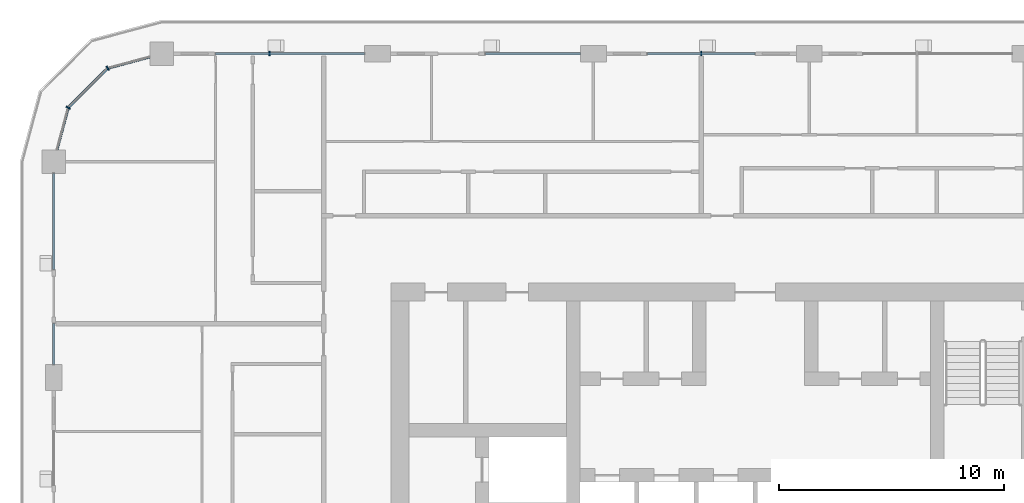
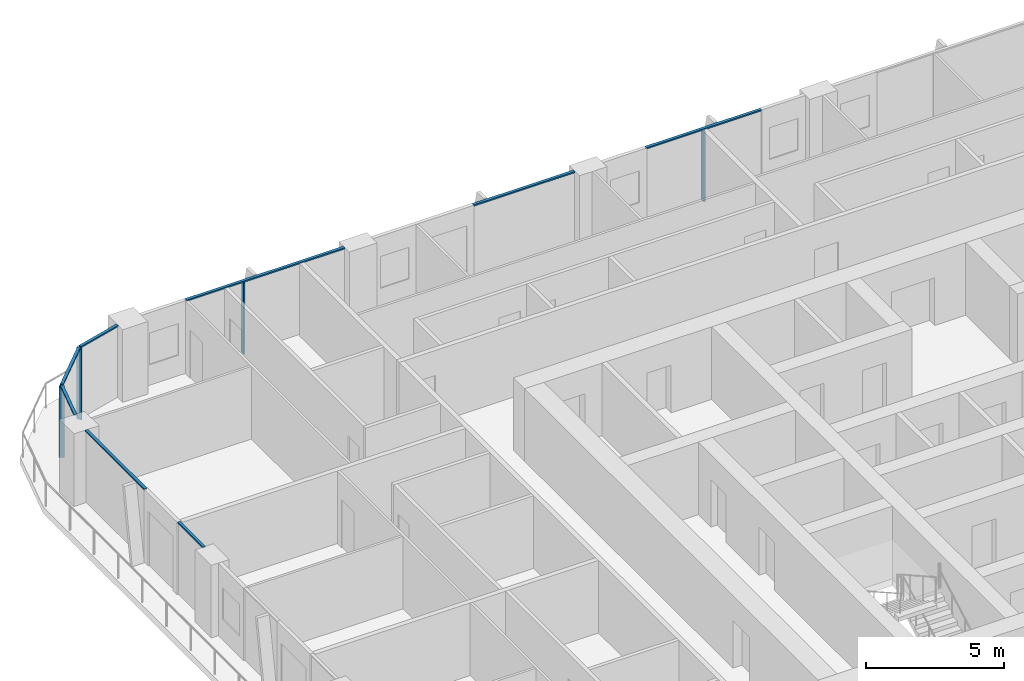
# One storey, part 5 of 22: 12 members, 5 elements without a shape of their own.
"""IFC4 building model written with IfcOpenShell, lengths in metres."""

from ifc_helpers import new_model, si_unit, direction, frame, origin, origin_2d, place, context, subcontext, project, spatial, rectangle, extrude, material, layer, layer_set, material_profile, profile_set, type_object, element, aggregate, save


model = new_model("IFC4")

# Units and contexts
model_context = context("Model", 3, precision=1e-05, world=origin(), true_north=direction((0.0, 1.0)))
body_context = subcontext(model_context, "Body", "Model", "MODEL_VIEW")
ifc_project = project(units=[si_unit("LENGTHUNIT", "METRE"), si_unit("AREAUNIT", "SQUARE_METRE"), si_unit("VOLUMEUNIT", "CUBIC_METRE"), si_unit("PLANEANGLEUNIT", "RADIAN"), si_unit("MASSUNIT", "GRAM", prefix="KILO")], contexts=[model_context])

# Site, building, storey
site_placement = place(None, origin())
site = spatial("IfcSite", under=ifc_project, at=site_placement, CompositionType="ELEMENT")
building_placement = place(site_placement, origin())
building = spatial("IfcBuilding", under=site, at=building_placement, Name="Madar Terraces", CompositionType="ELEMENT")
storey_placement = place(building_placement, frame((0.0, 0.0, 159.5)))
storey = spatial("IfcBuildingStorey", under=building, at=storey_placement, Name="L41", CompositionType="ELEMENT", Elevation=159.5)

# Curtain wall, member
ifc_material_1 = material(Name="Glass, ceramic frit dark grey, with black aluminium frame", Category="aluminium")
ifc_layer = layer(ifc_material_1, 0.199951171875)
ifc_layer_set = layer_set([ifc_layer], Name="Facade curtain wall, fritted glass")
curtain_wall_type = type_object("IfcCurtainWallType", Name="Facade curtain wall, fritted glass", PredefinedType="NOTDEFINED", material=ifc_layer_set)
curtain_wall_1_placement = place(storey_placement, origin())
curtain_wall_1 = element("IfcCurtainWall", 1, at=curtain_wall_1_placement, inside=storey, type_object=curtain_wall_type, Name="Outer skin curtain wall north bay 3", PredefinedType="NOTDEFINED")
ifc_material_2 = material(Name="Aluminium, black anodised", Category="aluminium")
ifc_material_profile_1 = material_profile(ifc_material_2, rectangle(XDim=0.199951171875, YDim=0.06005859375, at=origin_2d()), Name="Facade mullion 60x200")
ifc_profile_set_1 = profile_set([ifc_material_profile_1], Name="Aluminium, black anodised")
member_type_1 = type_object("IfcMemberType", Name="Facade mullion 60x200", PredefinedType="MULLION", material=ifc_profile_set_1)
member_1_placement = place(storey_placement, frame((28.800048828125, 48.0, 0.0), z_axis=(0.0, 0.0, 1.0), x_axis=(0.0, -1.0, 0.0)))
member_1 = element("IfcMember", 2, at=member_1_placement, type_object=member_type_1, Name="Mullion 1", PredefinedType="MULLION", context=body_context, shape_type="SweptSolid", body=[
    extrude(rectangle(XDim=0.199951171875, YDim=0.06005859375, at=origin_2d()), origin(), (0.0, 0.0, 1.0), 3.139892578125),
])

curtain_wall_2_placement = place(storey_placement, origin())
curtain_wall_2 = element("IfcCurtainWall", 3, at=curtain_wall_2_placement, inside=storey, type_object=curtain_wall_type, Name="Outer skin curtain wall north bay 5", PredefinedType="NOTDEFINED")
member_2_placement = place(storey_placement, frame((9.60009765625, 48.0, 0.0), z_axis=(0.0, 0.0, 1.0), x_axis=(0.0, -1.0, 0.0)))
member_2 = element("IfcMember", 4, at=member_2_placement, type_object=member_type_1, Name="Mullion 1", PredefinedType="MULLION", context=body_context, shape_type="SweptSolid", body=[
    extrude(rectangle(XDim=0.199951171875, YDim=0.06005859375, at=origin_2d()), origin(), (0.0, 0.0, 1.0), 3.139892578125),
])

# Curtain wall, members
curtain_wall_3_placement = place(storey_placement, origin())
curtain_wall_3 = element("IfcCurtainWall", 5, at=curtain_wall_3_placement, inside=storey, type_object=curtain_wall_type, Name="Outer skin curtain wall north-west corner", PredefinedType="NOTDEFINED")
member_3_placement = place(storey_placement, frame((2.39990234375, 47.35693359375, 0.0), z_axis=(0.0, 0.0, 1.0), x_axis=(0.499999989586, -0.866025409797, 0.0)))
member_3 = element("IfcMember", 6, at=member_3_placement, type_object=member_type_1, Name="Mullion 1", PredefinedType="MULLION", context=body_context, shape_type="SweptSolid", body=[
    extrude(rectangle(XDim=0.199951171875, YDim=0.06005859375, at=origin_2d()), origin(), (0.0, 0.0, 1.0), 3.139892578125),
])
member_4_placement = place(storey_placement, frame((0.64306640625, 45.60009765625, 0.0), z_axis=(0.0, 0.0, 1.0), x_axis=(0.866025409797, -0.499999989586, 0.0)))
member_4 = element("IfcMember", 7, at=member_4_placement, type_object=member_type_1, Name="Mullion 2", PredefinedType="MULLION", context=body_context, shape_type="SweptSolid", body=[
    extrude(rectangle(XDim=0.199951171875, YDim=0.06005859375, at=origin_2d()), origin(), (0.0, 0.0, 1.0), 3.139892578125),
])

# Member
ifc_material_3 = material(Name="Aluminium, black anodised", Category="aluminium")
ifc_material_profile_2 = material_profile(ifc_material_3, rectangle(XDim=0.1201171875, YDim=0.06005859375, at=origin_2d()), Name="Facade transom 60x120")
ifc_profile_set_2 = profile_set([ifc_material_profile_2], Name="Aluminium, black anodised")
member_type_2 = type_object("IfcMemberType", Name="Facade transom 60x120", PredefinedType="USERDEFINED", material=ifc_profile_set_2)
member_5_placement = place(storey_placement, frame((31.199951171875, 48.0, 3.169921875), z_axis=(-1.0, 0.0, 0.0), x_axis=(0.0, -1.0, 0.0)))
member_5 = element("IfcMember", 8, at=member_5_placement, type_object=member_type_2, Name="Transom 1", ObjectType="TRANSOM", PredefinedType="USERDEFINED", context=body_context, shape_type="SweptSolid", body=[
    extrude(rectangle(XDim=0.1201171875, YDim=0.06005859375, at=origin_2d()), origin(), (0.0, 0.0, 1.0), 4.800048828125),
])

aggregate(curtain_wall_1, [member_1, member_5])

# Curtain wall, member
curtain_wall_4_placement = place(storey_placement, origin())
curtain_wall_4 = element("IfcCurtainWall", 9, at=curtain_wall_4_placement, inside=storey, type_object=curtain_wall_type, Name="Outer skin curtain wall north bay 4", PredefinedType="NOTDEFINED")
member_6_placement = place(storey_placement, frame((23.425048828125, 48.0, 3.169921875), z_axis=(-1.0, 0.0, 0.0), x_axis=(0.0, -1.0, 0.0)))
member_6 = element("IfcMember", 10, at=member_6_placement, type_object=member_type_2, Name="Transom 1", ObjectType="TRANSOM", PredefinedType="USERDEFINED", context=body_context, shape_type="SweptSolid", body=[
    extrude(rectangle(XDim=0.1201171875, YDim=0.06005859375, at=origin_2d()), origin(), (0.0, 0.0, 1.0), 4.22509765625),
])
aggregate(curtain_wall_4, [member_6])

# Member
member_7_placement = place(storey_placement, frame((13.824951171875, 48.0, 3.169921875), z_axis=(-1.0, 0.0, 0.0), x_axis=(0.0, -1.0, 0.0)))
member_7 = element("IfcMember", 11, at=member_7_placement, type_object=member_type_2, Name="Transom 1", ObjectType="TRANSOM", PredefinedType="USERDEFINED", context=body_context, shape_type="SweptSolid", body=[
    extrude(rectangle(XDim=0.1201171875, YDim=0.06005859375, at=origin_2d()), origin(), (0.0, 0.0, 1.0), 6.625),
])

aggregate(curtain_wall_2, [member_2, member_7])

# Curtain wall, members
curtain_wall_5_placement = place(storey_placement, origin())
curtain_wall_5 = element("IfcCurtainWall", 12, at=curtain_wall_5_placement, inside=storey, type_object=curtain_wall_type, Name="Outer skin curtain wall west bay 1", PredefinedType="NOTDEFINED")
member_8_placement = place(storey_placement, frame((0.0, 42.675048828125, 3.169921875), z_axis=(0.0, -1.0, 0.0), x_axis=(1.0, 0.0, 0.0)))
member_8 = element("IfcMember", 13, at=member_8_placement, type_object=member_type_2, Name="Transom 1", ObjectType="TRANSOM", PredefinedType="USERDEFINED", context=body_context, shape_type="SweptSolid", body=[
    extrude(rectangle(XDim=0.1201171875, YDim=0.06005859375, at=origin_2d()), origin(), (0.0, 0.0, 1.0), 4.275146484375),
])
member_9_placement = place(storey_placement, frame((0.0, 36.0, 3.169921875), z_axis=(0.0, -1.0, 0.0), x_axis=(1.0, 0.0, 0.0)))
member_9 = element("IfcMember", 14, at=member_9_placement, type_object=member_type_2, Name="Transom 2", ObjectType="TRANSOM", PredefinedType="USERDEFINED", context=body_context, shape_type="SweptSolid", body=[
    extrude(rectangle(XDim=0.1201171875, YDim=0.06005859375, at=origin_2d()), origin(), (0.0, 0.0, 1.0), 1.824951171875),
])
aggregate(curtain_wall_5, [member_8, member_9])

# Member
member_10_placement = place(storey_placement, frame((4.27490234375, 47.859375, 3.169921875), z_axis=(-0.965924671538, -0.258823354654, 0.0), x_axis=(0.258823354654, -0.965924671538, 0.0)))
member_10 = element("IfcMember", 15, at=member_10_placement, type_object=member_type_2, Name="Transom 1", ObjectType="TRANSOM", PredefinedType="USERDEFINED", context=body_context, shape_type="SweptSolid", body=[
    extrude(rectangle(XDim=0.1201171875, YDim=0.06005859375, at=origin_2d()), origin(), (0.0, 0.0, 1.0), 1.9111328125),
])

member_11_placement = place(storey_placement, frame((2.37890625, 47.335693359375, 3.169921875), z_axis=(-0.707106781187, -0.707106781187, 0.0), x_axis=(0.707106781187, -0.707106781187, 0.0)))
member_11 = element("IfcMember", 16, at=member_11_placement, type_object=member_type_2, Name="Transom 2", ObjectType="TRANSOM", PredefinedType="USERDEFINED", context=body_context, shape_type="SweptSolid", body=[
    extrude(rectangle(XDim=0.1201171875, YDim=0.06005859375, at=origin_2d()), origin(), (0.0, 0.0, 1.0), 2.4248046875),
])

member_12_placement = place(storey_placement, frame((0.63525390625, 45.571044921875, 3.169921875), z_axis=(-0.258823354654, -0.965924671538, 0.0), x_axis=(0.965924671538, -0.258823354654, 0.0)))
member_12 = element("IfcMember", 17, at=member_12_placement, type_object=member_type_2, Name="Transom 3", ObjectType="TRANSOM", PredefinedType="USERDEFINED", context=body_context, shape_type="SweptSolid", body=[
    extrude(rectangle(XDim=0.1201171875, YDim=0.06005859375, at=origin_2d()), origin(), (0.0, 0.0, 1.0), 1.9111328125),
])

aggregate(curtain_wall_3, [member_3, member_10, member_4, member_11, member_12])

save(model, "model.ifc")
